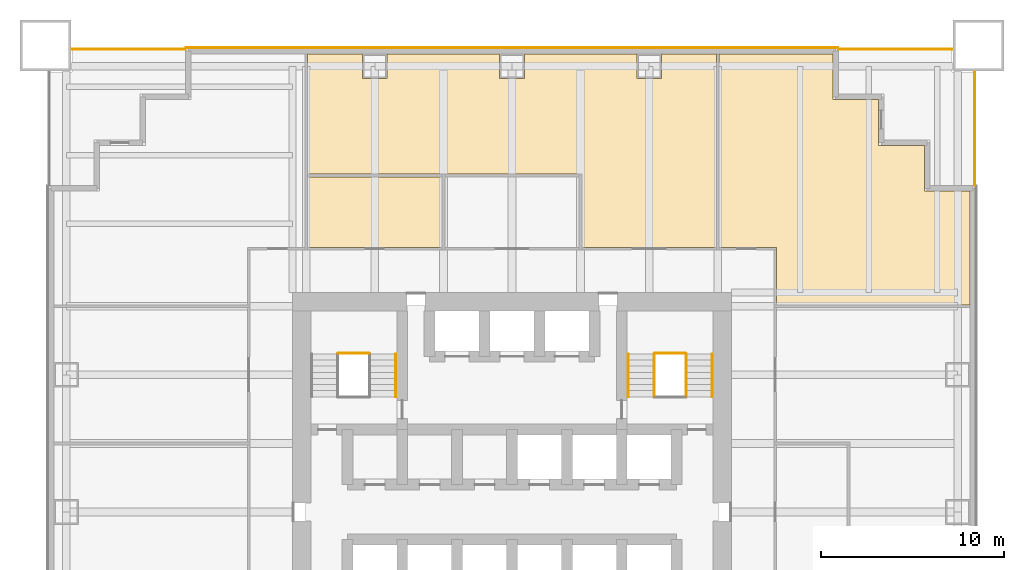
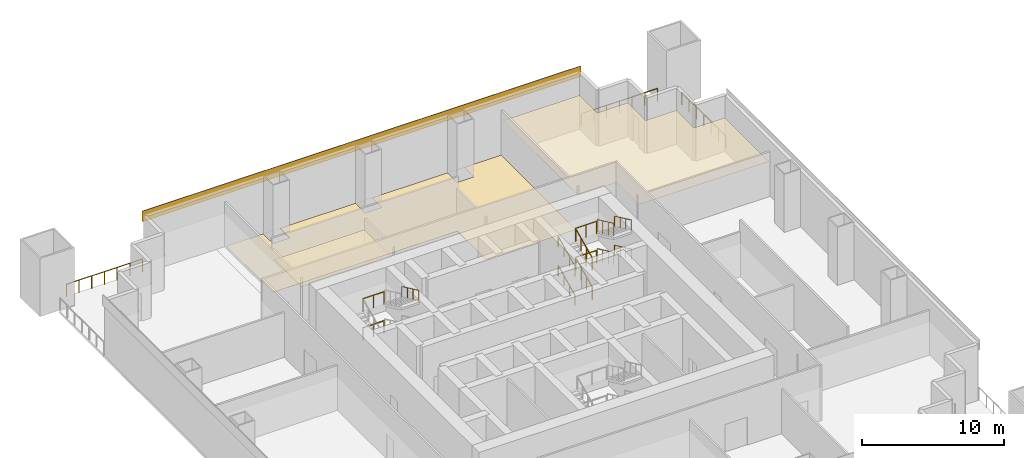
# One storey, part 6 of 6: 16 railings, 4 coverings.
"""IFC4 building model written with IfcOpenShell, lengths in metres."""

from ifc_helpers import new_model, si_unit, direction, frame, origin, origin_2d, place, context, subcontext, project, spatial, polyline, rectangle, circle, outline, extrude, material, layer, layer_set, type_object, element, save


model = new_model("IFC4")

# Units and contexts
model_context = context("Model", 3, precision=1e-05, world=origin(), true_north=direction((0.0, 1.0)))
body_context = subcontext(model_context, "Body", "Model", "MODEL_VIEW")
ifc_project = project(units=[si_unit("LENGTHUNIT", "METRE"), si_unit("AREAUNIT", "SQUARE_METRE"), si_unit("VOLUMEUNIT", "CUBIC_METRE"), si_unit("PLANEANGLEUNIT", "RADIAN"), si_unit("MASSUNIT", "GRAM", prefix="KILO")], contexts=[model_context])

# Site, building, storey
site_placement = place(None, origin())
site = spatial("IfcSite", under=ifc_project, at=site_placement, CompositionType="ELEMENT")
building_placement = place(site_placement, origin())
building = spatial("IfcBuilding", under=site, at=building_placement, Name="Tarangal Relay Tower", CompositionType="ELEMENT")
storey_placement = place(building_placement, frame((0.0, 0.0, 48.39990234375)))
storey = spatial("IfcBuildingStorey", under=building, at=storey_placement, Name="L09", CompositionType="ELEMENT", Elevation=48.39990234375)

# Coverings
ifc_material_1 = material(Name="Anti-static vinyl flooring", Category="plastic")
ifc_layer_1 = layer(ifc_material_1, 0.010009765625)
ifc_layer_set_1 = layer_set([ifc_layer_1], Name="Anti-static vinyl floor")
covering_type_1 = type_object("IfcCoveringType", Name="Anti-static vinyl floor", PredefinedType="FLOORING", material=ifc_layer_set_1)
covering_1_placement = place(storey_placement, origin())
element("IfcCovering", 1, at=covering_1_placement, inside=storey, type_object=covering_type_1, Name="Floor finish FL1 L09-03", PredefinedType="FLOORING", context=body_context, shape_type="SweptSolid", body=[
    extrude(outline(polyline([(11.175048828125, 25.050048828125), (-11.175048828125, 25.050048828125), (-11.175048828125, 18.47509765625), (3.824951171875, 18.47509765625), (3.824951171875, 14.47509765625), (11.175048828125, 14.47509765625), (11.175048828125, 25.050048828125)]), holes=[polyline([(-6.824951171875, 23.68994140625), (-6.824951171875, 25.0400390625), (-8.175048828125, 25.0400390625), (-8.175048828125, 23.68994140625), (-6.824951171875, 23.68994140625)]), polyline([(-0.675048828125, 23.68994140625), (0.675048828125, 23.68994140625), (0.675048828125, 25.0400390625), (-0.675048828125, 25.0400390625), (-0.675048828125, 23.68994140625)]), polyline([(6.824951171875, 23.68994140625), (8.175048828125, 23.68994140625), (8.175048828125, 25.0400390625), (6.824951171875, 25.0400390625), (6.824951171875, 23.68994140625)])]), origin(), (0.0, 0.0, 1.0), 0.010009765625),
])
ifc_material_2 = material(Name="Black anodised aluminium cladding", Category="aluminium")
ifc_layer_2 = layer(ifc_material_2, 0.050048828125)
ifc_layer_set_2 = layer_set([ifc_layer_2], Name="Black metal spandrel band")
covering_type_2 = type_object("IfcCoveringType", Name="Black metal spandrel band", PredefinedType="CLADDING", material=ifc_layer_set_2)
covering_2_placement = place(storey_placement, frame((0.0, 25.375, 4.250244140625), z_axis=(0.0, 0.0, 1.0), x_axis=(1.0, 0.0, 0.0)))
element("IfcCovering", 2, at=covering_2_placement, inside=storey, type_object=covering_type_2, Name="Spandrel band SB1 N L09", PredefinedType="CLADDING", context=body_context, shape_type="SweptSolid", body=[
    extrude(rectangle(XDim=35.699951171875, YDim=0.050048828125, at=origin_2d()), origin(), (0.0, 0.0, 1.0), 0.89990234375),
])

# Railings
ifc_material_3 = material(Name="Steel guard, black finish", Category="steel")
railing_type_1 = type_object("IfcRailingType", Name="Stair guard 1100", PredefinedType="GUARDRAIL", material=ifc_material_3)
for number, where, name in (
    (3, (-9.5, 8.675048828125, 1.25), "Stair ST-A landing guard GR1 L09"),
    (4, (-9.5, 8.675048828125, 3.75), "Stair ST-A landing guard GR1 L09"),
):
    element("IfcRailing", number, at=place(storey_placement, frame(where)), inside=storey, type_object=railing_type_1, Name=name, PredefinedType="GUARDRAIL", context=body_context, shape_type="SweptSolid", body=[
        extrude(circle(Radius=0.02392578125, at=origin_2d()), frame((0.0, 0.0, 1.076171875), z_axis=(1.0, 0.0, 0.0), x_axis=(0.0, 1.0, 0.0)), (0.0, 0.0, 1.0), 1.699951171875),
        extrude(circle(Radius=0.02099609375, at=origin_2d()), origin(), (0.0, 0.0, 1.0), 1.052001953125),
        extrude(circle(Radius=0.02099609375, at=origin_2d()), frame((0.85009765625, 0.0, 0.0)), (0.0, 0.0, 1.0), 1.052001953125),
        extrude(circle(Radius=0.02099609375, at=origin_2d()), frame((1.699951171875, 0.0, 0.0)), (0.0, 0.0, 1.0), 1.052001953125),
    ])
railing_1_placement = place(storey_placement, frame((7.77001953125, 6.300048828125, 0.15625)))
element("IfcRailing", 5, at=railing_1_placement, inside=storey, type_object=railing_type_1, Name="Stair ST-B guard GR1 L09 flight 1", PredefinedType="GUARDRAIL", context=body_context, shape_type="SweptSolid", body=[
    extrude(circle(Radius=0.02392578125, at=origin_2d()), frame((0.0, 0.0, 1.076171875), z_axis=(0.0, 0.90626748934, 0.422704669676), x_axis=(-1.0, 0.0, 0.0)), (0.0, 0.0, 1.0), 2.58740234375),
    extrude(circle(Radius=0.02099609375, at=origin_2d()), origin(), (0.0, 0.0, 1.0), 1.052001953125),
    extrude(circle(Radius=0.02099609375, at=origin_2d()), frame((0.0, 0.78173828125, 0.364501953125)), (0.0, 0.0, 1.0), 1.052001953125),
    extrude(circle(Radius=0.02099609375, at=origin_2d()), frame((0.0, 1.563232421875, 0.729248046875)), (0.0, 0.0, 1.0), 1.052001953125),
    extrude(circle(Radius=0.02099609375, at=origin_2d()), frame((0.0, 2.344970703125, 1.09375)), (0.0, 0.0, 1.0), 1.052001953125),
])
railing_2_placement = place(storey_placement, frame((9.530029296875, 8.64501953125, 1.40625)))
element("IfcRailing", 6, at=railing_2_placement, inside=storey, type_object=railing_type_1, Name="Stair ST-B guard GR1 L09 flight 2", PredefinedType="GUARDRAIL", context=body_context, shape_type="SweptSolid", body=[
    extrude(circle(Radius=0.02392578125, at=origin_2d()), frame((0.0, 0.0, 1.076171875), z_axis=(0.0, -0.90626748934, 0.422704669676), x_axis=(1.0, 0.0, 0.0)), (0.0, 0.0, 1.0), 2.58740234375),
    extrude(circle(Radius=0.02099609375, at=origin_2d()), origin(), (0.0, 0.0, 1.0), 1.052001953125),
    extrude(circle(Radius=0.02099609375, at=origin_2d()), frame((0.0, -0.78173828125, 0.364501953125)), (0.0, 0.0, 1.0), 1.052001953125),
    extrude(circle(Radius=0.02099609375, at=origin_2d()), frame((0.0, -1.563232421875, 0.729248046875)), (0.0, 0.0, 1.0), 1.052001953125),
    extrude(circle(Radius=0.02099609375, at=origin_2d()), frame((0.0, -2.344970703125, 1.09375)), (0.0, 0.0, 1.0), 1.052001953125),
])
railing_3_placement = place(storey_placement, frame((7.77001953125, 6.300048828125, 2.65625)))
element("IfcRailing", 7, at=railing_3_placement, inside=storey, type_object=railing_type_1, Name="Stair ST-B guard GR1 L09 flight 3", PredefinedType="GUARDRAIL", context=body_context, shape_type="SweptSolid", body=[
    extrude(circle(Radius=0.02392578125, at=origin_2d()), frame((0.0, 0.0, 1.076171875), z_axis=(0.0, 0.90626748934, 0.422704669676), x_axis=(-1.0, 0.0, 0.0)), (0.0, 0.0, 1.0), 2.58740234375),
    extrude(circle(Radius=0.02099609375, at=origin_2d()), origin(), (0.0, 0.0, 1.0), 1.052001953125),
    extrude(circle(Radius=0.02099609375, at=origin_2d()), frame((0.0, 0.78173828125, 0.364501953125)), (0.0, 0.0, 1.0), 1.052001953125),
    extrude(circle(Radius=0.02099609375, at=origin_2d()), frame((0.0, 1.563232421875, 0.729248046875)), (0.0, 0.0, 1.0), 1.052001953125),
    extrude(circle(Radius=0.02099609375, at=origin_2d()), frame((0.0, 2.344970703125, 1.09375)), (0.0, 0.0, 1.0), 1.052001953125),
])
railing_4_placement = place(storey_placement, frame((9.530029296875, 8.64501953125, 3.90625)))
element("IfcRailing", 8, at=railing_4_placement, inside=storey, type_object=railing_type_1, Name="Stair ST-B guard GR1 L09 flight 4", PredefinedType="GUARDRAIL", context=body_context, shape_type="SweptSolid", body=[
    extrude(circle(Radius=0.02392578125, at=origin_2d()), frame((0.0, 0.0, 1.076171875), z_axis=(0.0, -0.90626748934, 0.422704669676), x_axis=(1.0, 0.0, 0.0)), (0.0, 0.0, 1.0), 2.58740234375),
    extrude(circle(Radius=0.02099609375, at=origin_2d()), origin(), (0.0, 0.0, 1.0), 1.052001953125),
    extrude(circle(Radius=0.02099609375, at=origin_2d()), frame((0.0, -0.78173828125, 0.364501953125)), (0.0, 0.0, 1.0), 1.052001953125),
    extrude(circle(Radius=0.02099609375, at=origin_2d()), frame((0.0, -1.563232421875, 0.729248046875)), (0.0, 0.0, 1.0), 1.052001953125),
    extrude(circle(Radius=0.02099609375, at=origin_2d()), frame((0.0, -2.344970703125, 1.09375)), (0.0, 0.0, 1.0), 1.052001953125),
])
for number, where, name in (
    (9, (7.800048828125, 8.675048828125, 1.25), "Stair ST-B landing guard GR1 L09"),
    (10, (7.800048828125, 8.675048828125, 3.75), "Stair ST-B landing guard GR1 L09"),
):
    element("IfcRailing", number, at=place(storey_placement, frame(where)), inside=storey, type_object=railing_type_1, Name=name, PredefinedType="GUARDRAIL", context=body_context, shape_type="SweptSolid", body=[
        extrude(circle(Radius=0.02392578125, at=origin_2d()), frame((0.0, 0.0, 1.076171875), z_axis=(1.0, 0.0, 0.0), x_axis=(0.0, 1.0, 0.0)), (0.0, 0.0, 1.0), 1.699951171875),
        extrude(circle(Radius=0.02099609375, at=origin_2d()), origin(), (0.0, 0.0, 1.0), 1.052001953125),
        extrude(circle(Radius=0.02099609375, at=origin_2d()), frame((0.85009765625, 0.0, 0.0)), (0.0, 0.0, 1.0), 1.052001953125),
        extrude(circle(Radius=0.02099609375, at=origin_2d()), frame((1.699951171875, 0.0, 0.0)), (0.0, 0.0, 1.0), 1.052001953125),
    ])
ifc_material_4 = material(Name="Steel handrail, black finish", Category="steel")
railing_type_2 = type_object("IfcRailingType", Name="Stair handrail 900", PredefinedType="HANDRAIL", material=ifc_material_4)
railing_5_placement = place(storey_placement, frame((-6.360107421875, 8.64501953125, 3.90625)))
element("IfcRailing", 11, at=railing_5_placement, inside=storey, type_object=railing_type_2, Name="Stair ST-A handrail HR1 L09 flight 4", PredefinedType="HANDRAIL", context=body_context, shape_type="SweptSolid", body=[
    extrude(circle(Radius=0.02392578125, at=origin_2d()), frame((0.0, 0.0, 0.8759765625), z_axis=(0.0, -0.90626748934, 0.422704669676), x_axis=(1.0, 0.0, 0.0)), (0.0, 0.0, 1.0), 2.58740234375),
    extrude(circle(Radius=0.02099609375, at=origin_2d()), origin(), (0.0, 0.0, 1.0), 0.851806640625),
    extrude(circle(Radius=0.02099609375, at=origin_2d()), frame((0.0, -0.78173828125, 0.364501953125)), (0.0, 0.0, 1.0), 0.851806640625),
    extrude(circle(Radius=0.02099609375, at=origin_2d()), frame((0.0, -1.563232421875, 0.729248046875)), (0.0, 0.0, 1.0), 0.851806640625),
    extrude(circle(Radius=0.02099609375, at=origin_2d()), frame((0.0, -2.344970703125, 1.09375)), (0.0, 0.0, 1.0), 0.851806640625),
])
railing_6_placement = place(storey_placement, frame((6.360107421875, 6.300048828125, 0.15625)))
element("IfcRailing", 12, at=railing_6_placement, inside=storey, type_object=railing_type_2, Name="Stair ST-B handrail HR1 L09 flight 1", PredefinedType="HANDRAIL", context=body_context, shape_type="SweptSolid", body=[
    extrude(circle(Radius=0.02392578125, at=origin_2d()), frame((0.0, 0.0, 0.8759765625), z_axis=(0.0, 0.90626748934, 0.422704669676), x_axis=(-1.0, 0.0, 0.0)), (0.0, 0.0, 1.0), 2.58740234375),
    extrude(circle(Radius=0.02099609375, at=origin_2d()), origin(), (0.0, 0.0, 1.0), 0.851806640625),
    extrude(circle(Radius=0.02099609375, at=origin_2d()), frame((0.0, 0.78173828125, 0.364501953125)), (0.0, 0.0, 1.0), 0.851806640625),
    extrude(circle(Radius=0.02099609375, at=origin_2d()), frame((0.0, 1.563232421875, 0.729248046875)), (0.0, 0.0, 1.0), 0.851806640625),
    extrude(circle(Radius=0.02099609375, at=origin_2d()), frame((0.0, 2.344970703125, 1.09375)), (0.0, 0.0, 1.0), 0.851806640625),
])
railing_7_placement = place(storey_placement, frame((10.93994140625, 8.64501953125, 1.40625)))
element("IfcRailing", 13, at=railing_7_placement, inside=storey, type_object=railing_type_2, Name="Stair ST-B handrail HR1 L09 flight 2", PredefinedType="HANDRAIL", context=body_context, shape_type="SweptSolid", body=[
    extrude(circle(Radius=0.02392578125, at=origin_2d()), frame((0.0, 0.0, 0.8759765625), z_axis=(0.0, -0.90626748934, 0.422704669676), x_axis=(1.0, 0.0, 0.0)), (0.0, 0.0, 1.0), 2.58740234375),
    extrude(circle(Radius=0.02099609375, at=origin_2d()), origin(), (0.0, 0.0, 1.0), 0.851806640625),
    extrude(circle(Radius=0.02099609375, at=origin_2d()), frame((0.0, -0.78173828125, 0.364501953125)), (0.0, 0.0, 1.0), 0.851806640625),
    extrude(circle(Radius=0.02099609375, at=origin_2d()), frame((0.0, -1.563232421875, 0.729248046875)), (0.0, 0.0, 1.0), 0.851806640625),
    extrude(circle(Radius=0.02099609375, at=origin_2d()), frame((0.0, -2.344970703125, 1.09375)), (0.0, 0.0, 1.0), 0.851806640625),
])
railing_8_placement = place(storey_placement, frame((6.360107421875, 6.300048828125, 2.65625)))
element("IfcRailing", 14, at=railing_8_placement, inside=storey, type_object=railing_type_2, Name="Stair ST-B handrail HR1 L09 flight 3", PredefinedType="HANDRAIL", context=body_context, shape_type="SweptSolid", body=[
    extrude(circle(Radius=0.02392578125, at=origin_2d()), frame((0.0, 0.0, 0.8759765625), z_axis=(0.0, 0.90626748934, 0.422704669676), x_axis=(-1.0, 0.0, 0.0)), (0.0, 0.0, 1.0), 2.58740234375),
    extrude(circle(Radius=0.02099609375, at=origin_2d()), origin(), (0.0, 0.0, 1.0), 0.851806640625),
    extrude(circle(Radius=0.02099609375, at=origin_2d()), frame((0.0, 0.78173828125, 0.364501953125)), (0.0, 0.0, 1.0), 0.851806640625),
    extrude(circle(Radius=0.02099609375, at=origin_2d()), frame((0.0, 1.563232421875, 0.729248046875)), (0.0, 0.0, 1.0), 0.851806640625),
    extrude(circle(Radius=0.02099609375, at=origin_2d()), frame((0.0, 2.344970703125, 1.09375)), (0.0, 0.0, 1.0), 0.851806640625),
])
railing_9_placement = place(storey_placement, frame((10.93994140625, 8.64501953125, 3.90625)))
element("IfcRailing", 15, at=railing_9_placement, inside=storey, type_object=railing_type_2, Name="Stair ST-B handrail HR1 L09 flight 4", PredefinedType="HANDRAIL", context=body_context, shape_type="SweptSolid", body=[
    extrude(circle(Radius=0.02392578125, at=origin_2d()), frame((0.0, 0.0, 0.8759765625), z_axis=(0.0, -0.90626748934, 0.422704669676), x_axis=(1.0, 0.0, 0.0)), (0.0, 0.0, 1.0), 2.58740234375),
    extrude(circle(Radius=0.02099609375, at=origin_2d()), origin(), (0.0, 0.0, 1.0), 0.851806640625),
    extrude(circle(Radius=0.02099609375, at=origin_2d()), frame((0.0, -0.78173828125, 0.364501953125)), (0.0, 0.0, 1.0), 0.851806640625),
    extrude(circle(Radius=0.02099609375, at=origin_2d()), frame((0.0, -1.563232421875, 0.729248046875)), (0.0, 0.0, 1.0), 0.851806640625),
    extrude(circle(Radius=0.02099609375, at=origin_2d()), frame((0.0, -2.344970703125, 1.09375)), (0.0, 0.0, 1.0), 0.851806640625),
])

# Coverings
ifc_material_5 = material(Name="Mineral fibre ceiling tiles", Category="gypsum")
ifc_layer_3 = layer(ifc_material_5, 0.02001953125)
ifc_layer_set_3 = layer_set([ifc_layer_3], Name="Suspended ceiling")
covering_type_3 = type_object("IfcCoveringType", Name="Suspended ceiling", PredefinedType="CEILING", material=ifc_layer_set_3)
covering_3_placement = place(storey_placement, frame((0.0, 0.0, 2.900146484375)))
element("IfcCovering", 16, at=covering_3_placement, inside=storey, type_object=covering_type_3, Name="Suspended ceiling CL1 L09-02", PredefinedType="CEILING", context=body_context, shape_type="SweptSolid", body=[
    extrude(outline(polyline([(-11.175048828125, 18.324951171875), (-11.175048828125, 14.47509765625), (-3.824951171875, 14.47509765625), (-3.824951171875, 18.324951171875), (-11.175048828125, 18.324951171875)])), origin(), (0.0, 0.0, 1.0), 0.02001953125),
])
covering_4_placement = place(storey_placement, frame((0.0, 0.0, 2.900146484375)))
element("IfcCovering", 17, at=covering_4_placement, inside=storey, type_object=covering_type_3, Name="Suspended ceiling CL1 L09-12", PredefinedType="CEILING", context=body_context, shape_type="SweptSolid", body=[
    extrude(outline(polyline([(17.550048828125, 25.050048828125), (11.324951171875, 25.050048828125), (11.324951171875, 14.47509765625), (14.47509765625, 14.47509765625), (14.47509765625, 11.324951171875), (25.050048828125, 11.324951171875), (25.050048828125, 17.550048828125), (22.550048828125, 17.550048828125), (22.550048828125, 20.050048828125), (20.050048828125, 20.050048828125), (20.050048828125, 22.550048828125), (17.550048828125, 22.550048828125), (17.550048828125, 25.050048828125)])), origin(), (0.0, 0.0, 1.0), 0.02001953125),
])

# Railings
ifc_material_6 = material(Name="Black steel guard with glass infill", Category="steel")
railing_type_3 = type_object("IfcRailingType", Name="Terrace guard 1100", PredefinedType="GUARDRAIL", material=ifc_material_6)
railing_10_placement = place(storey_placement, frame((17.85009765625, 25.300048828125, 0.0)))
element("IfcRailing", 18, at=railing_10_placement, inside=storey, type_object=railing_type_3, Name="Terrace guard GR2 NE L09", PredefinedType="GUARDRAIL", context=body_context, shape_type="SweptSolid", body=[
    extrude(circle(Radius=0.02392578125, at=origin_2d()), frame((0.0, 0.0, 1.076171875), z_axis=(1.0, 0.0, 0.0), x_axis=(0.0, 1.0, 0.0)), (0.0, 0.0, 1.0), 6.199951171875),
    extrude(circle(Radius=0.02099609375, at=origin_2d()), origin(), (0.0, 0.0, 1.0), 1.052001953125),
    extrude(circle(Radius=0.02099609375, at=origin_2d()), frame((1.033203125, 0.0, 0.0)), (0.0, 0.0, 1.0), 1.052001953125),
    extrude(circle(Radius=0.02099609375, at=origin_2d()), frame((2.066650390625, 0.0, 0.0)), (0.0, 0.0, 1.0), 1.052001953125),
    extrude(circle(Radius=0.02099609375, at=origin_2d()), frame((3.10009765625, 0.0, 0.0)), (0.0, 0.0, 1.0), 1.052001953125),
    extrude(circle(Radius=0.02099609375, at=origin_2d()), frame((4.13330078125, 0.0, 0.0)), (0.0, 0.0, 1.0), 1.052001953125),
    extrude(circle(Radius=0.02099609375, at=origin_2d()), frame((5.16650390625, 0.0, 0.0)), (0.0, 0.0, 1.0), 1.052001953125),
    extrude(circle(Radius=0.02099609375, at=origin_2d()), frame((6.199951171875, 0.0, 0.0)), (0.0, 0.0, 1.0), 1.052001953125),
])
railing_11_placement = place(storey_placement, frame((25.300048828125, 24.050048828125, 0.0)))
element("IfcRailing", 19, at=railing_11_placement, inside=storey, type_object=railing_type_3, Name="Terrace guard GR2 NE L09", PredefinedType="GUARDRAIL", context=body_context, shape_type="SweptSolid", body=[
    extrude(circle(Radius=0.02392578125, at=origin_2d()), frame((0.0, 0.0, 1.076171875), z_axis=(0.0, -1.0, 0.0), x_axis=(1.0, 0.0, 0.0)), (0.0, 0.0, 1.0), 6.199951171875),
    extrude(circle(Radius=0.02099609375, at=origin_2d()), origin(), (0.0, 0.0, 1.0), 1.052001953125),
    extrude(circle(Radius=0.02099609375, at=origin_2d()), frame((0.0, -1.033203125, 0.0)), (0.0, 0.0, 1.0), 1.052001953125),
    extrude(circle(Radius=0.02099609375, at=origin_2d()), frame((0.0, -2.066650390625, 0.0)), (0.0, 0.0, 1.0), 1.052001953125),
    extrude(circle(Radius=0.02099609375, at=origin_2d()), frame((0.0, -3.10009765625, 0.0)), (0.0, 0.0, 1.0), 1.052001953125),
    extrude(circle(Radius=0.02099609375, at=origin_2d()), frame((0.0, -4.13330078125, 0.0)), (0.0, 0.0, 1.0), 1.052001953125),
    extrude(circle(Radius=0.02099609375, at=origin_2d()), frame((0.0, -5.16650390625, 0.0)), (0.0, 0.0, 1.0), 1.052001953125),
    extrude(circle(Radius=0.02099609375, at=origin_2d()), frame((0.0, -6.199951171875, 0.0)), (0.0, 0.0, 1.0), 1.052001953125),
])
railing_12_placement = place(storey_placement, frame((-24.050048828125, 25.300048828125, 0.0)))
element("IfcRailing", 20, at=railing_12_placement, inside=storey, type_object=railing_type_3, Name="Terrace guard GR2 NW L09", PredefinedType="GUARDRAIL", context=body_context, shape_type="SweptSolid", body=[
    extrude(circle(Radius=0.02392578125, at=origin_2d()), frame((0.0, 0.0, 1.076171875), z_axis=(1.0, 0.0, 0.0), x_axis=(0.0, 1.0, 0.0)), (0.0, 0.0, 1.0), 6.199951171875),
    extrude(circle(Radius=0.02099609375, at=origin_2d()), origin(), (0.0, 0.0, 1.0), 1.052001953125),
    extrude(circle(Radius=0.02099609375, at=origin_2d()), frame((1.033203125, 0.0, 0.0)), (0.0, 0.0, 1.0), 1.052001953125),
    extrude(circle(Radius=0.02099609375, at=origin_2d()), frame((2.066650390625, 0.0, 0.0)), (0.0, 0.0, 1.0), 1.052001953125),
    extrude(circle(Radius=0.02099609375, at=origin_2d()), frame((3.10009765625, 0.0, 0.0)), (0.0, 0.0, 1.0), 1.052001953125),
    extrude(circle(Radius=0.02099609375, at=origin_2d()), frame((4.13330078125, 0.0, 0.0)), (0.0, 0.0, 1.0), 1.052001953125),
    extrude(circle(Radius=0.02099609375, at=origin_2d()), frame((5.16650390625, 0.0, 0.0)), (0.0, 0.0, 1.0), 1.052001953125),
    extrude(circle(Radius=0.02099609375, at=origin_2d()), frame((6.199951171875, 0.0, 0.0)), (0.0, 0.0, 1.0), 1.052001953125),
])

save(model, "model.ifc")
